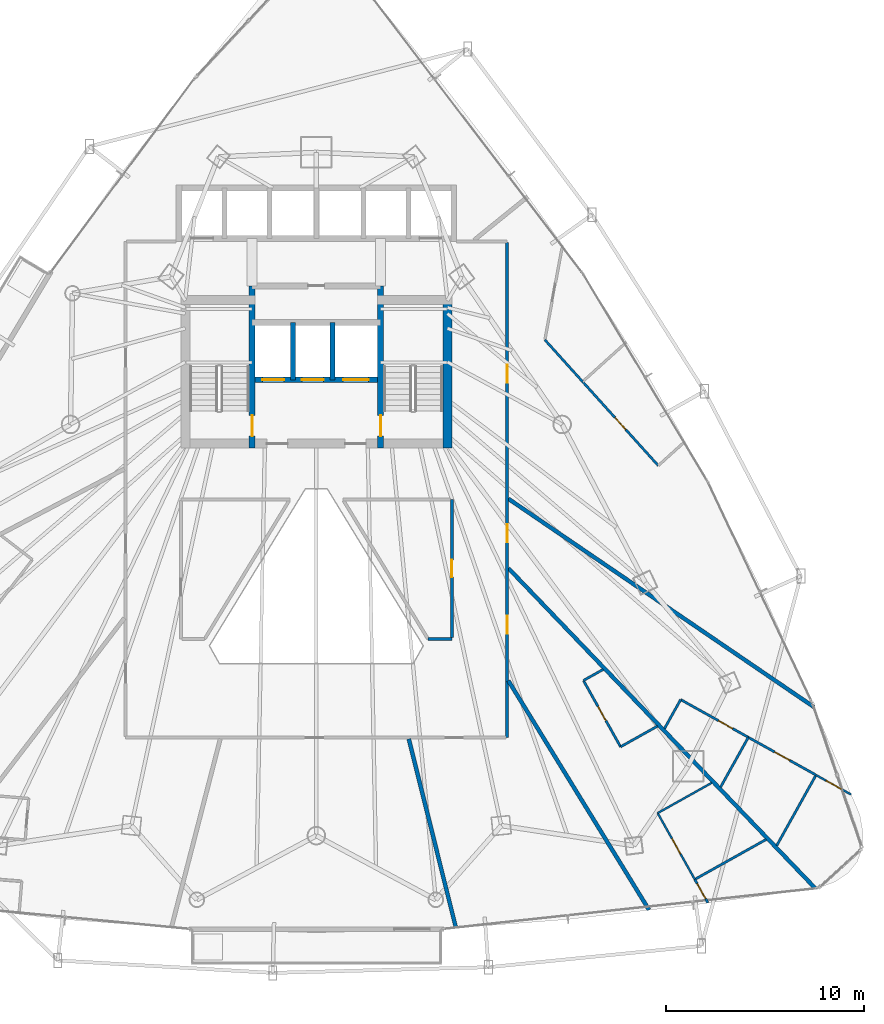
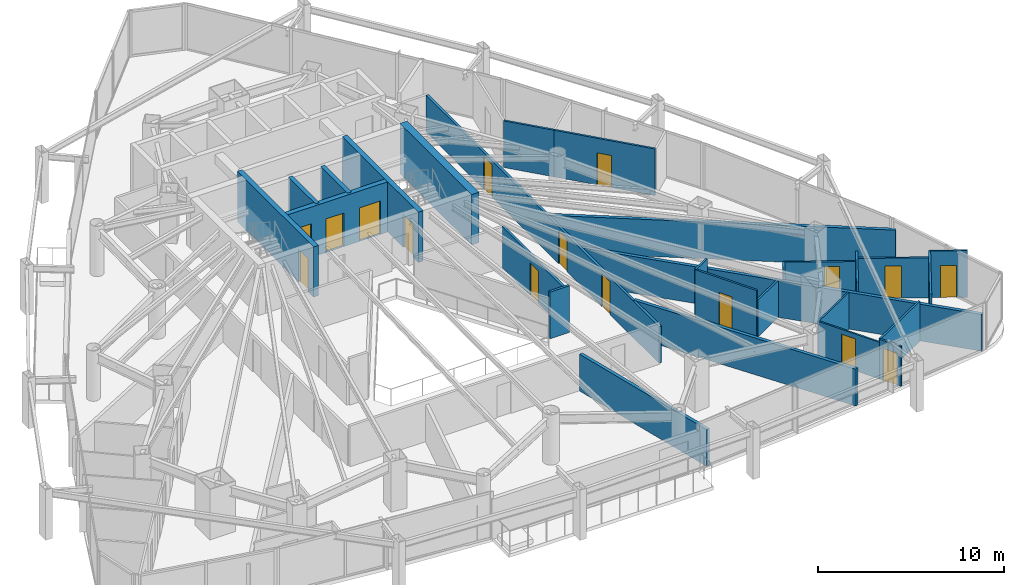
# One storey, part 30 of 34: 28 walls, 16 doors, 16 openings.
"""IFC4 building model written with IfcOpenShell, lengths in metres."""

from ifc_helpers import new_model, si_unit, direction, frame, frame_2d, origin, place, context, subcontext, project, spatial, rectangle, extrude, material, layer, layer_set, type_object, element, fill, save


model = new_model("IFC4")

# Units and contexts
model_context = context("Model", 3, precision=1e-05, world=origin(), true_north=direction((0.0, 1.0)))
body_context = subcontext(model_context, "Body", "Model", "MODEL_VIEW")
ifc_project = project(units=[si_unit("LENGTHUNIT", "METRE"), si_unit("AREAUNIT", "SQUARE_METRE"), si_unit("VOLUMEUNIT", "CUBIC_METRE"), si_unit("PLANEANGLEUNIT", "RADIAN"), si_unit("MASSUNIT", "GRAM", prefix="KILO")], contexts=[model_context])

# Site, building, storey
site_placement = place(None, origin())
site = spatial("IfcSite", under=ifc_project, at=site_placement, CompositionType="ELEMENT")
building_placement = place(site_placement, origin())
building = spatial("IfcBuilding", under=site, at=building_placement, Name="Orvanel Arch Residences", CompositionType="ELEMENT")
storey_placement = place(building_placement, frame((0.0, 0.0, 77.449951171875)))
storey = spatial("IfcBuildingStorey", under=building, at=storey_placement, Name="L21", CompositionType="ELEMENT", Elevation=77.449951171875)

# Walls
ifc_material_1 = material(Name="Concrete N50 (50 MPa)", Category="concrete")
ifc_layer_1 = layer(ifc_material_1, 0.25)
ifc_layer_set_1 = layer_set([ifc_layer_1], Name="Concrete N50 (50 MPa)")
wall_type_1 = type_object("IfcWallType", Name="SW-CORE-250", PredefinedType="SHEAR", material=ifc_layer_set_1)
for number, where, z_axis, x_axis, name in (
    (1, (31.824951171875, 29.89990234375, 0.0), (0.0, 0.0, 1.0), (0.0, 1.0, 0.0), "L21 Emergency Lift Inter-Shaft Wall F12"),
    (2, (33.824951171875, 29.89990234375, 0.0), (0.0, 0.0, 1.0), (0.0, 1.0, 0.0), "L21 Emergency Lift Inter-Shaft Wall F2G"),
):
    element("IfcWall", number, at=place(storey_placement, frame(where, z_axis=z_axis, x_axis=x_axis)), inside=storey, type_object=wall_type_1, Name=name, PredefinedType="SHEAR", context=body_context, shape_type="SweptSolid", body=[
        extrude(rectangle(XDim=2.900146484375, YDim=0.25, at=frame_2d((1.4501953125, 0.0))), origin(), (0.0, 0.0, 1.0), 3.300048828125),
    ])

# Wall, opening, door
ifc_material_2 = material(Name="Concrete S80 (80 MPa)", Category="concrete")
ifc_layer_2 = layer(ifc_material_2, 0.300048828125)
ifc_layer_set_2 = layer_set([ifc_layer_2], Name="Concrete S80 (80 MPa)")
wall_type_2 = type_object("IfcWallType", Name="SW-CORE-300", PredefinedType="SHEAR", material=ifc_layer_set_2)
wall_1_placement = place(storey_placement, frame((29.75, 26.449951171875, 0.0), z_axis=(0.0, 0.0, 1.0), x_axis=(0.0, 1.0, 0.0)))
wall_1 = element("IfcWall", 3, at=wall_1_placement, inside=storey, type_object=wall_type_2, Name="L21 West Inner Core Spine Shear Wall", PredefinedType="SHEAR", context=body_context, shape_type="SweptSolid", body=[
    extrude(rectangle(XDim=8.199951171875, YDim=0.300048828125, at=frame_2d((4.10009765625, 0.0))), origin(), (0.0, 0.0, 1.0), 3.300048828125),
])
opening_1_placement = place(wall_1_placement, frame((0.60009765625, 0.0, 0.0)))
opening_1 = element("IfcOpeningElement", 4, at=opening_1_placement, cuts=wall_1, Name="Opening DF-120", PredefinedType="OPENING", context=body_context, shape_type="SweptSolid", body=[
    extrude(rectangle(XDim=1.050048828125, YDim=2.14990234375, at=frame_2d((0.52490234375, 1.074951171875))), frame((0.0, 0.159912109375, 0.0), z_axis=(0.0, -1.0, 0.0), x_axis=(1.0, 0.0, 0.0)), (0.0, 0.0, 1.0), 0.320068359375),
])
ifc_material_3 = material(Name="Galvanised steel fire-resisting door assembly", Category="steel")
door_type_1 = type_object("IfcDoorType", Name="DR-FD120-1050", OperationType="NOTDEFINED", PredefinedType="DOOR", material=ifc_material_3)
door_1_placement = place(opening_1_placement, origin())
door_1 = element("IfcDoor", 5, at=door_1_placement, inside=storey, type_object=door_type_1, Name="DR-L21-ST1 L21 Stair 1 Fire Door", OperationType="SINGLE_SWING_LEFT", OverallHeight=2.14990234375, OverallWidth=1.050048828125, PredefinedType="DOOR", context=body_context, shape_type="SweptSolid", body=[
    extrude(rectangle(XDim=1.050048828125, YDim=2.14990234375, at=frame_2d((0.52490234375, 1.074951171875))), frame((0.0, 0.02490234375, 0.0), z_axis=(0.0, -1.0, 0.0), x_axis=(1.0, 0.0, 0.0)), (0.0, 0.0, 1.0), 0.050048828125),
])
fill(opening_1, door_1)

wall_2_placement = place(storey_placement, frame((36.25, 26.449951171875, 0.0), z_axis=(0.0, 0.0, 1.0), x_axis=(0.0, 1.0, 0.0)))
wall_2 = element("IfcWall", 6, at=wall_2_placement, inside=storey, type_object=wall_type_2, Name="L21 East Inner Core Spine Shear Wall", PredefinedType="SHEAR", context=body_context, shape_type="SweptSolid", body=[
    extrude(rectangle(XDim=8.199951171875, YDim=0.300048828125, at=frame_2d((4.10009765625, 0.0))), origin(), (0.0, 0.0, 1.0), 3.300048828125),
])
opening_2_placement = place(wall_2_placement, frame((0.60009765625, 0.0, 0.0)))
opening_2 = element("IfcOpeningElement", 7, at=opening_2_placement, cuts=wall_2, Name="Opening DF-120", PredefinedType="OPENING", context=body_context, shape_type="SweptSolid", body=[
    extrude(rectangle(XDim=1.050048828125, YDim=2.14990234375, at=frame_2d((0.52490234375, 1.074951171875))), frame((0.0, 0.159912109375, 0.0), z_axis=(0.0, -1.0, 0.0), x_axis=(1.0, 0.0, 0.0)), (0.0, 0.0, 1.0), 0.320068359375),
])
door_2_placement = place(opening_2_placement, origin())
door_2 = element("IfcDoor", 8, at=door_2_placement, inside=storey, type_object=door_type_1, Name="DR-L21-ST2 L21 Stair 2 Fire Door", OperationType="SINGLE_SWING_RIGHT", OverallHeight=2.14990234375, OverallWidth=1.050048828125, PredefinedType="DOOR", context=body_context, shape_type="SweptSolid", body=[
    extrude(rectangle(XDim=1.050048828125, YDim=2.14990234375, at=frame_2d((0.52490234375, 1.074951171875))), frame((0.0, 0.02490234375, 0.0), z_axis=(0.0, -1.0, 0.0), x_axis=(1.0, 0.0, 0.0)), (0.0, 0.0, 1.0), 0.050048828125),
])
fill(opening_2, door_2)

# Wall, openings, doors
wall_3_placement = place(storey_placement, frame((36.25, 29.89990234375, 0.0), z_axis=(0.0, 0.0, 1.0), x_axis=(-1.0, 0.0, 0.0)))
wall_3 = element("IfcWall", 9, at=wall_3_placement, inside=storey, type_object=wall_type_2, Name="L21 Emergency Lift Front Core Shear Wall", PredefinedType="SHEAR", context=body_context, shape_type="SweptSolid", body=[
    extrude(rectangle(XDim=6.5, YDim=0.300048828125, at=frame_2d((3.25, 0.0))), origin(), (0.0, 0.0, 1.0), 3.300048828125),
])
opening_3_placement = place(wall_3_placement, frame((4.875, 0.0, 0.0)))
opening_3 = element("IfcOpeningElement", 10, at=opening_3_placement, cuts=wall_3, Name="Opening LD-110", PredefinedType="OPENING", context=body_context, shape_type="SweptSolid", body=[
    extrude(rectangle(XDim=1.10009765625, YDim=2.199951171875, at=frame_2d((0.550048828125, 1.10009765625))), frame((0.0, 0.159912109375, 0.0), z_axis=(0.0, -1.0, 0.0), x_axis=(1.0, 0.0, 0.0)), (0.0, 0.0, 1.0), 0.320068359375),
])
opening_4_placement = place(wall_3_placement, frame((2.875, 0.0, 0.0)))
opening_4 = element("IfcOpeningElement", 11, at=opening_4_placement, cuts=wall_3, Name="Opening LD-110", PredefinedType="OPENING", context=body_context, shape_type="SweptSolid", body=[
    extrude(rectangle(XDim=1.10009765625, YDim=2.199951171875, at=frame_2d((0.550048828125, 1.10009765625))), frame((0.0, 0.159912109375, 0.0), z_axis=(0.0, -1.0, 0.0), x_axis=(1.0, 0.0, 0.0)), (0.0, 0.0, 1.0), 0.320068359375),
])
opening_5_placement = place(wall_3_placement, frame((0.60009765625, 0.0, 0.0)))
opening_5 = element("IfcOpeningElement", 12, at=opening_5_placement, cuts=wall_3, Name="Opening LD-130", PredefinedType="OPENING", context=body_context, shape_type="SweptSolid", body=[
    extrude(rectangle(XDim=1.300048828125, YDim=2.199951171875, at=frame_2d((0.64990234375, 1.10009765625))), frame((0.0, 0.159912109375, 0.0), z_axis=(0.0, -1.0, 0.0), x_axis=(1.0, 0.0, 0.0)), (0.0, 0.0, 1.0), 0.320068359375),
])
door_type_2 = type_object("IfcDoorType", Name="DR-LFT-1100", OperationType="NOTDEFINED", PredefinedType="DOOR", material=ifc_material_3)
door_3_placement = place(opening_3_placement, origin())
door_3 = element("IfcDoor", 13, at=door_3_placement, inside=storey, type_object=door_type_2, Name="LD-F1-L21 L21 Lift F1 Sliding Landing Door", OperationType="DOUBLE_DOOR_SLIDING", OverallHeight=2.199951171875, OverallWidth=1.10009765625, PredefinedType="DOOR", context=body_context, shape_type="SweptSolid", body=[
    extrude(rectangle(XDim=1.10009765625, YDim=2.199951171875, at=frame_2d((0.550048828125, 1.10009765625))), frame((0.0, 0.02490234375, 0.0), z_axis=(0.0, -1.0, 0.0), x_axis=(1.0, 0.0, 0.0)), (0.0, 0.0, 1.0), 0.050048828125),
])
fill(opening_3, door_3)
door_4_placement = place(opening_4_placement, origin())
door_4 = element("IfcDoor", 14, at=door_4_placement, inside=storey, type_object=door_type_2, Name="LD-F2-L21 L21 Lift F2 Sliding Landing Door", OperationType="DOUBLE_DOOR_SLIDING", OverallHeight=2.199951171875, OverallWidth=1.10009765625, PredefinedType="DOOR", context=body_context, shape_type="SweptSolid", body=[
    extrude(rectangle(XDim=1.10009765625, YDim=2.199951171875, at=frame_2d((0.550048828125, 1.10009765625))), frame((0.0, 0.02490234375, 0.0), z_axis=(0.0, -1.0, 0.0), x_axis=(1.0, 0.0, 0.0)), (0.0, 0.0, 1.0), 0.050048828125),
])
fill(opening_4, door_4)
door_type_3 = type_object("IfcDoorType", Name="DR-LFT-1300", OperationType="NOTDEFINED", PredefinedType="DOOR", material=ifc_material_3)
door_5_placement = place(opening_5_placement, origin())
door_5 = element("IfcDoor", 15, at=door_5_placement, inside=storey, type_object=door_type_3, Name="LD-G1-L21 L21 Lift G1 Sliding Landing Door", OperationType="DOUBLE_DOOR_SLIDING", OverallHeight=2.199951171875, OverallWidth=1.300048828125, PredefinedType="DOOR", context=body_context, shape_type="SweptSolid", body=[
    extrude(rectangle(XDim=1.300048828125, YDim=2.199951171875, at=frame_2d((0.64990234375, 1.10009765625))), frame((0.0, 0.02490234375, 0.0), z_axis=(0.0, -1.0, 0.0), x_axis=(1.0, 0.0, 0.0)), (0.0, 0.0, 1.0), 0.050048828125),
])
fill(opening_5, door_5)

# Wall
ifc_layer_3 = layer(ifc_material_2, 0.449951171875)
ifc_layer_set_3 = layer_set([ifc_layer_3], Name="Concrete S80 (80 MPa)")
wall_type_3 = type_object("IfcWallType", Name="SW-CORE-450", PredefinedType="SHEAR", material=ifc_layer_set_3)
wall_4_placement = place(storey_placement, frame((39.625, 26.449951171875, 0.0), z_axis=(0.0, 0.0, 1.0), x_axis=(0.0, 1.0, 0.0)))
element("IfcWall", 16, at=wall_4_placement, inside=storey, type_object=wall_type_3, Name="L21 East Stair Shear Wall", PredefinedType="SHEAR", context=body_context, shape_type="SweptSolid", body=[
    extrude(rectangle(XDim=7.699951171875, YDim=0.449951171875, at=frame_2d((3.85009765625, 0.0))), origin(), (0.0, 0.0, 1.0), 3.300048828125),
])

# Wall, openings, doors
ifc_material_4 = material(Name="Fire-rated plasterboard lined steel stud partition", Category="steel")
ifc_layer_4 = layer(ifc_material_4, 0.14990234375)
ifc_layer_set_4 = layer_set([ifc_layer_4], Name="Fire-rated plasterboard lined steel stud partition")
wall_type_4 = type_object("IfcWallType", Name="W-COR-150", PredefinedType="PARTITIONING", material=ifc_layer_set_4)
wall_5_placement = place(storey_placement, frame((42.64990234375, 36.840087890625, 0.0), z_axis=(0.0, 0.0, 1.0), x_axis=(0.0, -1.0, 0.0)))
wall_5 = element("IfcWall", 17, at=wall_5_placement, inside=storey, type_object=wall_type_4, Name="L21 Corridor Fire-Rated Partition", PredefinedType="PARTITIONING", context=body_context, shape_type="SweptSolid", body=[
    extrude(rectangle(XDim=25.0400390625, YDim=0.14990234375, at=frame_2d((12.52001953125, 0.0))), origin(), (0.0, 0.0, 1.0), 2.4130859375),
])
opening_6_placement = place(wall_5_placement, frame((6.1708984375, 0.0, 0.0)))
opening_6 = element("IfcOpeningElement", 18, at=opening_6_placement, cuts=wall_5, Name="Opening DA-092", PredefinedType="OPENING", context=body_context, shape_type="SweptSolid", body=[
    extrude(rectangle(XDim=0.919921875, YDim=2.14990234375, at=frame_2d((0.4599609375, 1.074951171875))), frame((0.0, 0.0849609375, 0.0), z_axis=(0.0, -1.0, 0.0), x_axis=(1.0, 0.0, 0.0)), (0.0, 0.0, 1.0), 0.169921875),
])
opening_7_placement = place(wall_5_placement, frame((14.2490234375, 0.0, 0.0)))
opening_7 = element("IfcOpeningElement", 19, at=opening_7_placement, cuts=wall_5, Name="Opening DA-092", PredefinedType="OPENING", context=body_context, shape_type="SweptSolid", body=[
    extrude(rectangle(XDim=0.919921875, YDim=2.14990234375, at=frame_2d((0.4599609375, 1.074951171875))), frame((0.0, 0.0849609375, 0.0), z_axis=(0.0, -1.0, 0.0), x_axis=(1.0, 0.0, 0.0)), (0.0, 0.0, 1.0), 0.169921875),
])
opening_8_placement = place(wall_5_placement, frame((18.8720703125, 0.0, 0.0)))
opening_8 = element("IfcOpeningElement", 20, at=opening_8_placement, cuts=wall_5, Name="Opening DA-092", PredefinedType="OPENING", context=body_context, shape_type="SweptSolid", body=[
    extrude(rectangle(XDim=0.919921875, YDim=2.14990234375, at=frame_2d((0.4599609375, 1.074951171875))), frame((0.0, 0.0849609375, 0.0), z_axis=(0.0, -1.0, 0.0), x_axis=(1.0, 0.0, 0.0)), (0.0, 0.0, 1.0), 0.169921875),
])
ifc_material_5 = material(Name="Solid-core European oak veneer fire door leaf", Category="wood")
door_type_4 = type_object("IfcDoorType", Name="DR-APT-920", OperationType="NOTDEFINED", PredefinedType="DOOR", material=ifc_material_5)
door_6_placement = place(opening_6_placement, origin())
door_6 = element("IfcDoor", 21, at=door_6_placement, inside=storey, type_object=door_type_4, Name="DR-L21-C-ENT L21 Studio C Entrance Door", OperationType="SINGLE_SWING_RIGHT", OverallHeight=2.14990234375, OverallWidth=0.919921875, PredefinedType="DOOR", context=body_context, shape_type="SweptSolid", body=[
    extrude(rectangle(XDim=0.919921875, YDim=2.14990234375, at=frame_2d((0.4599609375, 1.074951171875))), frame((0.0, 0.02490234375, 0.0), z_axis=(0.0, -1.0, 0.0), x_axis=(1.0, 0.0, 0.0)), (0.0, 0.0, 1.0), 0.050048828125),
])
fill(opening_6, door_6)
door_7_placement = place(opening_7_placement, origin())
door_7 = element("IfcDoor", 22, at=door_7_placement, inside=storey, type_object=door_type_4, Name="DR-L21-F-ENT L21 Flat F Entrance Door", OperationType="SINGLE_SWING_LEFT", OverallHeight=2.14990234375, OverallWidth=0.919921875, PredefinedType="DOOR", context=body_context, shape_type="SweptSolid", body=[
    extrude(rectangle(XDim=0.919921875, YDim=2.14990234375, at=frame_2d((0.4599609375, 1.074951171875))), frame((0.0, 0.02490234375, 0.0), z_axis=(0.0, -1.0, 0.0), x_axis=(1.0, 0.0, 0.0)), (0.0, 0.0, 1.0), 0.050048828125),
])
fill(opening_7, door_7)
door_8_placement = place(opening_8_placement, origin())
door_8 = element("IfcDoor", 23, at=door_8_placement, inside=storey, type_object=door_type_4, Name="DR-L21-G-ENT L21 Studio G Entrance Door", OperationType="SINGLE_SWING_RIGHT", OverallHeight=2.14990234375, OverallWidth=0.919921875, PredefinedType="DOOR", context=body_context, shape_type="SweptSolid", body=[
    extrude(rectangle(XDim=0.919921875, YDim=2.14990234375, at=frame_2d((0.4599609375, 1.074951171875))), frame((0.0, 0.02490234375, 0.0), z_axis=(0.0, -1.0, 0.0), x_axis=(1.0, 0.0, 0.0)), (0.0, 0.0, 1.0), 0.050048828125),
])
fill(opening_8, door_8)

# Wall
wall_6_placement = place(storey_placement, frame((38.64990234375, 16.800048828125, 0.0), z_axis=(0.0, 0.0, 1.0), x_axis=(1.0, 0.0, 0.0)))
element("IfcWall", 24, at=wall_6_placement, inside=storey, type_object=wall_type_4, Name="L21 Corridor Fire-Rated Partition", PredefinedType="PARTITIONING", context=body_context, shape_type="SweptSolid", body=[
    extrude(rectangle(XDim=1.2001953125, YDim=0.14990234375, at=frame_2d((0.60009765625, 0.0))), origin(), (0.0, 0.0, 1.0), 3.06005859375),
])

# Wall, opening, door
wall_7_placement = place(storey_placement, frame((39.85009765625, 16.860107421875, 0.0), z_axis=(0.0, 0.0, 1.0), x_axis=(0.0, 1.0, 0.0)))
wall_7 = element("IfcWall", 25, at=wall_7_placement, inside=storey, type_object=wall_type_4, Name="L21 Corridor Fire-Rated Partition", PredefinedType="PARTITIONING", context=body_context, shape_type="SweptSolid", body=[
    extrude(rectangle(XDim=6.989990234375, YDim=0.14990234375, at=frame_2d((3.4951171875, 0.0))), origin(), (0.0, 0.0, 1.0), 2.6689453125),
])
opening_9_placement = place(wall_7_placement, frame((3.054931640625, 0.0, 0.0)))
opening_9 = element("IfcOpeningElement", 26, at=opening_9_placement, cuts=wall_7, Name="Opening DI-088", PredefinedType="OPENING", context=body_context, shape_type="SweptSolid", body=[
    extrude(rectangle(XDim=0.8798828125, YDim=2.10009765625, at=frame_2d((0.43994140625, 1.050048828125))), frame((0.0, 0.0849609375, 0.0), z_axis=(0.0, -1.0, 0.0), x_axis=(1.0, 0.0, 0.0)), (0.0, 0.0, 1.0), 0.169921875),
])
door_type_5 = type_object("IfcDoorType", Name="DR-INT-880", OperationType="NOTDEFINED", PredefinedType="DOOR", material=ifc_material_5)
door_9_placement = place(opening_9_placement, origin())
door_9 = element("IfcDoor", 27, at=door_9_placement, inside=storey, type_object=door_type_5, Name="DR-L21-SHRD-FB9 L21 Co-Working Study Office I Door", OperationType="SINGLE_SWING_LEFT", OverallHeight=2.10009765625, OverallWidth=0.8798828125, PredefinedType="DOOR", context=body_context, shape_type="SweptSolid", body=[
    extrude(rectangle(XDim=0.8798828125, YDim=2.10009765625, at=frame_2d((0.43994140625, 1.050048828125))), frame((0.0, 0.02490234375, 0.0), z_axis=(0.0, -1.0, 0.0), x_axis=(1.0, 0.0, 0.0)), (0.0, 0.0, 1.0), 0.050048828125),
])
fill(opening_9, door_9)

# Walls
ifc_layer_5 = layer(ifc_material_4, 0.199951171875)
ifc_layer_set_5 = layer_set([ifc_layer_5], Name="Fire-rated plasterboard lined steel stud partition")
wall_type_5 = type_object("IfcWallType", Name="W-DEM-200", PredefinedType="PARTITIONING", material=ifc_layer_set_5)
wall_8_placement = place(storey_placement, frame((58.1650390625, 13.35009765625, 0.0), z_axis=(0.0, 0.0, 1.0), x_axis=(-0.826341659386, 0.563169123766, 0.0)))
element("IfcWall", 28, at=wall_8_placement, inside=storey, type_object=wall_type_5, Name="L21 Inter-Tenancy Acoustic Demising Wall", PredefinedType="PARTITIONING", context=body_context, shape_type="SweptSolid", body=[
    extrude(rectangle(XDim=18.703125, YDim=0.199951171875, at=frame_2d((9.3515625, 0.0))), origin(), (0.0, 0.0, 1.0), 2.4130859375),
])
wall_9_placement = place(storey_placement, frame((37.677001953125, 11.739990234375, 0.0), z_axis=(0.0, 0.0, 1.0), x_axis=(0.241946282122, -0.970289645707, 0.0)))
element("IfcWall", 29, at=wall_9_placement, inside=storey, type_object=wall_type_5, Name="L21 Inter-Tenancy Acoustic Demising Wall", PredefinedType="PARTITIONING", context=body_context, shape_type="SweptSolid", body=[
    extrude(rectangle(XDim=9.845458984375, YDim=0.199951171875, at=frame_2d((4.9228515625, 0.0))), origin(), (0.0, 0.0, 1.0), 2.4130859375),
])
wall_10_placement = place(storey_placement, frame((58.237060546875, 4.178955078125, 0.0), z_axis=(0.0, 0.0, 1.0), x_axis=(-0.69208567792, 0.721815360337, 0.0)))
element("IfcWall", 30, at=wall_10_placement, inside=storey, type_object=wall_type_5, Name="L21 Inter-Tenancy Acoustic Demising Wall", PredefinedType="PARTITIONING", context=body_context, shape_type="SweptSolid", body=[
    extrude(rectangle(XDim=22.435302734375, YDim=0.199951171875, at=frame_2d((11.2177734375, 0.0))), origin(), (0.0, 0.0, 1.0), 2.4130859375),
])
wall_11_placement = place(storey_placement, frame((49.826904296875, 3.090087890625, 0.0), z_axis=(0.0, 0.0, 1.0), x_axis=(-0.523146880199, 0.852242536921, 0.0)))
element("IfcWall", 31, at=wall_11_placement, inside=storey, type_object=wall_type_5, Name="L21 Inter-Tenancy Acoustic Demising Wall", PredefinedType="PARTITIONING", context=body_context, shape_type="SweptSolid", body=[
    extrude(rectangle(XDim=13.60400390625, YDim=0.199951171875, at=frame_2d((6.802001953125, 0.0))), origin(), (0.0, 0.0, 1.0), 2.4130859375),
])

# Wall, opening, door
ifc_material_6 = material(Name="Acoustic plasterboard lined twin-stud partition", Category="gypsum")
ifc_layer_6 = layer(ifc_material_6, 0.10009765625)
ifc_layer_set_6 = layer_set([ifc_layer_6], Name="Acoustic plasterboard lined twin-stud partition")
wall_type_6 = type_object("IfcWallType", Name="W-INT-100", PredefinedType="PARTITIONING", material=ifc_layer_set_6)
wall_12_placement = place(storey_placement, frame((60.0439453125, 8.923095703125, 0.0), z_axis=(0.0, 0.0, 1.0), x_axis=(-0.873680423781, 0.486500274514, 0.0)))
wall_12 = element("IfcWall", 32, at=wall_12_placement, inside=storey, type_object=wall_type_6, Name="L21 Flat F Internal Partition", PredefinedType="PARTITIONING", context=body_context, shape_type="SweptSolid", body=[
    extrude(rectangle(XDim=2.030517578125, YDim=0.10009765625, at=frame_2d((1.01513671875, 0.0))), origin(), (0.0, 0.0, 1.0), 3.06005859375),
])
opening_10_placement = place(wall_12_placement, frame((0.574951171875, 0.0, 0.0)))
opening_10 = element("IfcOpeningElement", 33, at=opening_10_placement, cuts=wall_12, Name="Opening DI-088", PredefinedType="OPENING", context=body_context, shape_type="SweptSolid", body=[
    extrude(rectangle(XDim=0.8798828125, YDim=2.10009765625, at=frame_2d((0.43994140625, 1.050048828125))), frame((0.0, 0.06005859375, 0.0), z_axis=(0.0, -1.0, 0.0), x_axis=(1.0, 0.0, 0.0)), (0.0, 0.0, 1.0), 0.1201171875),
])
door_10_placement = place(opening_10_placement, origin())
door_10 = element("IfcDoor", 34, at=door_10_placement, inside=storey, type_object=door_type_5, Name="DR-L21-F-BED1 L21 Flat F Bedroom 1 Door", OperationType="SINGLE_SWING_LEFT", OverallHeight=2.10009765625, OverallWidth=0.8798828125, PredefinedType="DOOR", context=body_context, shape_type="SweptSolid", body=[
    extrude(rectangle(XDim=0.8798828125, YDim=2.10009765625, at=frame_2d((0.43994140625, 1.050048828125))), frame((0.0, 0.02490234375, 0.0), z_axis=(0.0, -1.0, 0.0), x_axis=(1.0, 0.0, 0.0)), (0.0, 0.0, 1.0), 0.050048828125),
])
fill(opening_10, door_10)

# Wall
wall_13_placement = place(storey_placement, frame((52.9990234375, 9.51904296875, 0.0), z_axis=(0.0, 0.0, 1.0), x_axis=(-0.87247814598, -0.488653133406, 0.0)))
element("IfcWall", 35, at=wall_13_placement, inside=storey, type_object=wall_type_6, Name="L21 Studio G Internal Partition", PredefinedType="PARTITIONING", context=body_context, shape_type="SweptSolid", body=[
    extrude(rectangle(XDim=3.13720703125, YDim=0.10009765625, at=frame_2d((1.568603515625, 0.0))), origin(), (0.0, 0.0, 1.0), 2.4130859375),
])

# Wall, opening, door
wall_14_placement = place(storey_placement, frame((50.261962890625, 7.986083984375, 0.0), z_axis=(0.0, 0.0, 1.0), x_axis=(0.488564666262, -0.872527688317, 0.0)))
wall_14 = element("IfcWall", 36, at=wall_14_placement, inside=storey, type_object=wall_type_6, Name="L21 Studio G Internal Partition", PredefinedType="PARTITIONING", context=body_context, shape_type="SweptSolid", body=[
    extrude(rectangle(XDim=3.841796875, YDim=0.10009765625, at=frame_2d((1.9208984375, 0.0))), origin(), (0.0, 0.0, 1.0), 2.4130859375),
])
opening_11_placement = place(wall_14_placement, frame((1.48095703125, 0.0, 0.0)))
opening_11 = element("IfcOpeningElement", 37, at=opening_11_placement, cuts=wall_14, Name="Opening DI-088", PredefinedType="OPENING", context=body_context, shape_type="SweptSolid", body=[
    extrude(rectangle(XDim=0.8798828125, YDim=2.10009765625, at=frame_2d((0.43994140625, 1.050048828125))), frame((0.0, 0.06005859375, 0.0), z_axis=(0.0, -1.0, 0.0), x_axis=(1.0, 0.0, 0.0)), (0.0, 0.0, 1.0), 0.1201171875),
])
door_11_placement = place(opening_11_placement, origin())
door_11 = element("IfcDoor", 38, at=door_11_placement, inside=storey, type_object=door_type_5, Name="DR-L21-G-DIN1 L21 Studio G Dining Room 1 Door", OperationType="SINGLE_SWING_LEFT", OverallHeight=2.10009765625, OverallWidth=0.8798828125, PredefinedType="DOOR", context=body_context, shape_type="SweptSolid", body=[
    extrude(rectangle(XDim=0.8798828125, YDim=2.10009765625, at=frame_2d((0.43994140625, 1.050048828125))), frame((0.0, 0.02490234375, 0.0), z_axis=(0.0, -1.0, 0.0), x_axis=(1.0, 0.0, 0.0)), (0.0, 0.0, 1.0), 0.050048828125),
])
fill(opening_11, door_11)

ifc_layer_7 = layer(ifc_material_6, 0.1201171875)
ifc_layer_set_7 = layer_set([ifc_layer_7], Name="Acoustic plasterboard lined twin-stud partition")
wall_type_7 = type_object("IfcWallType", Name="W-WET-120", PredefinedType="PARTITIONING", material=ifc_layer_set_7)
wall_15_placement = place(storey_placement, frame((46.466064453125, 29.802978515625, 0.0), z_axis=(0.0, 0.0, 1.0), x_axis=(0.669491047861, -0.742820124144, 0.0)))
wall_15 = element("IfcWall", 39, at=wall_15_placement, inside=storey, type_object=wall_type_7, Name="L21 Studio C Bathroom Partition", PredefinedType="PARTITIONING", context=body_context, shape_type="SweptSolid", body=[
    extrude(rectangle(XDim=5.713134765625, YDim=0.1201171875, at=frame_2d((2.8564453125, 0.0))), origin(), (0.0, 0.0, 1.0), 3.06005859375),
])
opening_12_placement = place(wall_15_placement, frame((2.447021484375, 0.0, 0.0)))
opening_12 = element("IfcOpeningElement", 40, at=opening_12_placement, cuts=wall_15, Name="Opening DW-082", PredefinedType="OPENING", context=body_context, shape_type="SweptSolid", body=[
    extrude(rectangle(XDim=0.820068359375, YDim=2.10009765625, at=frame_2d((0.41015625, 1.050048828125))), frame((0.0, 0.070068359375, 0.0), z_axis=(0.0, -1.0, 0.0), x_axis=(1.0, 0.0, 0.0)), (0.0, 0.0, 1.0), 0.14013671875),
])
door_type_6 = type_object("IfcDoorType", Name="DR-WET-820", OperationType="NOTDEFINED", PredefinedType="DOOR", material=ifc_material_5)
door_12_placement = place(opening_12_placement, origin())
door_12 = element("IfcDoor", 41, at=door_12_placement, inside=storey, type_object=door_type_6, Name="DR-L21-C-BATH L21 Studio C Bathroom Door", OperationType="SINGLE_SWING_RIGHT", OverallHeight=2.10009765625, OverallWidth=0.820068359375, PredefinedType="DOOR", context=body_context, shape_type="SweptSolid", body=[
    extrude(rectangle(XDim=0.820068359375, YDim=2.10009765625, at=frame_2d((0.41015625, 1.050048828125))), frame((0.0, 0.02490234375, 0.0), z_axis=(0.0, -1.0, 0.0), x_axis=(1.0, 0.0, 0.0)), (0.0, 0.0, 1.0), 0.050048828125),
])
fill(opening_12, door_12)

# Wall
wall_16_placement = place(storey_placement, frame((44.55810546875, 31.9189453125, 0.0), z_axis=(0.0, 0.0, 1.0), x_axis=(0.669660366513, -0.742667485165, 0.0)))
element("IfcWall", 42, at=wall_16_placement, inside=storey, type_object=wall_type_7, Name="L21 Studio C Internal Partition", PredefinedType="PARTITIONING", context=body_context, shape_type="SweptSolid", body=[
    extrude(rectangle(XDim=2.84912109375, YDim=0.1201171875, at=frame_2d((1.424560546875, 0.0))), origin(), (0.0, 0.0, 1.0), 3.06005859375),
])

# Wall, opening, door
wall_17_placement = place(storey_placement, frame((54.846923828125, 11.818115234375, 0.0), z_axis=(0.0, 0.0, 1.0), x_axis=(-0.87346578699, 0.486885529624, 0.0)))
wall_17 = element("IfcWall", 43, at=wall_17_placement, inside=storey, type_object=wall_type_7, Name="L21 Flat F Bathroom Partition", PredefinedType="PARTITIONING", context=body_context, shape_type="SweptSolid", body=[
    extrude(rectangle(XDim=3.918701171875, YDim=0.1201171875, at=frame_2d((1.95947265625, 0.0))), origin(), (0.0, 0.0, 1.0), 2.4130859375),
])
opening_13_placement = place(wall_17_placement, frame((0.909912109375, 0.0, 0.0)))
opening_13 = element("IfcOpeningElement", 44, at=opening_13_placement, cuts=wall_17, Name="Opening DW-082", PredefinedType="OPENING", context=body_context, shape_type="SweptSolid", body=[
    extrude(rectangle(XDim=0.820068359375, YDim=2.10009765625, at=frame_2d((0.41015625, 1.050048828125))), frame((0.0, 0.070068359375, 0.0), z_axis=(0.0, -1.0, 0.0), x_axis=(1.0, 0.0, 0.0)), (0.0, 0.0, 1.0), 0.14013671875),
])
door_13_placement = place(opening_13_placement, origin())
door_13 = element("IfcDoor", 45, at=door_13_placement, inside=storey, type_object=door_type_6, Name="DR-L21-F-BATH L21 Flat F Bathroom Door", OperationType="SINGLE_SWING_RIGHT", OverallHeight=2.10009765625, OverallWidth=0.820068359375, PredefinedType="DOOR", context=body_context, shape_type="SweptSolid", body=[
    extrude(rectangle(XDim=0.820068359375, YDim=2.10009765625, at=frame_2d((0.41015625, 1.050048828125))), frame((0.0, 0.02490234375, 0.0), z_axis=(0.0, -1.0, 0.0), x_axis=(1.0, 0.0, 0.0)), (0.0, 0.0, 1.0), 0.050048828125),
])
fill(opening_13, door_13)

# Wall
wall_18_placement = place(storey_placement, frame((51.424072265625, 13.72607421875, 0.0), z_axis=(0.0, 0.0, 1.0), x_axis=(-0.486605473044, -0.873621836726, 0.0)))
element("IfcWall", 46, at=wall_18_placement, inside=storey, type_object=wall_type_7, Name="L21 Flat F Bathroom Partition", PredefinedType="PARTITIONING", context=body_context, shape_type="SweptSolid", body=[
    extrude(rectangle(XDim=1.67919921875, YDim=0.1201171875, at=frame_2d((0.839599609375, 0.0))), origin(), (0.0, 0.0, 1.0), 2.4130859375),
])

# Wall, opening, door
wall_19_placement = place(storey_placement, frame((58.27001953125, 9.910888671875, 0.0), z_axis=(0.0, 0.0, 1.0), x_axis=(-0.873560029318, 0.486716421727, 0.0)))
wall_19 = element("IfcWall", 47, at=wall_19_placement, inside=storey, type_object=wall_type_7, Name="L21 Flat F Internal Partition", PredefinedType="PARTITIONING", context=body_context, shape_type="SweptSolid", body=[
    extrude(rectangle(XDim=3.91845703125, YDim=0.1201171875, at=frame_2d((1.959228515625, 0.0))), origin(), (0.0, 0.0, 1.0), 2.619140625),
])
opening_14_placement = place(wall_19_placement, frame((1.51904296875, 0.0, 0.0)))
opening_14 = element("IfcOpeningElement", 48, at=opening_14_placement, cuts=wall_19, Name="Opening DI-088", PredefinedType="OPENING", context=body_context, shape_type="SweptSolid", body=[
    extrude(rectangle(XDim=0.8798828125, YDim=2.10009765625, at=frame_2d((0.43994140625, 1.050048828125))), frame((0.0, 0.070068359375, 0.0), z_axis=(0.0, -1.0, 0.0), x_axis=(1.0, 0.0, 0.0)), (0.0, 0.0, 1.0), 0.14013671875),
])
door_14_placement = place(opening_14_placement, origin())
door_14 = element("IfcDoor", 49, at=door_14_placement, inside=storey, type_object=door_type_5, Name="DR-L21-F-KIT L21 Flat F Kitchen Door", OperationType="SINGLE_SWING_LEFT", OverallHeight=2.10009765625, OverallWidth=0.8798828125, PredefinedType="DOOR", context=body_context, shape_type="SweptSolid", body=[
    extrude(rectangle(XDim=0.8798828125, YDim=2.10009765625, at=frame_2d((0.43994140625, 1.050048828125))), frame((0.0, 0.02490234375, 0.0), z_axis=(0.0, -1.0, 0.0), x_axis=(1.0, 0.0, 0.0)), (0.0, 0.0, 1.0), 0.050048828125),
])
fill(opening_14, door_14)

# Walls
wall_20_placement = place(storey_placement, frame((54.846923828125, 11.818115234375, 0.0), z_axis=(0.0, 0.0, 1.0), x_axis=(-0.486822226103, -0.873501070504, 0.0)))
element("IfcWall", 50, at=wall_20_placement, inside=storey, type_object=wall_type_7, Name="L21 Flat F Bathroom Partition", PredefinedType="PARTITIONING", context=body_context, shape_type="SweptSolid", body=[
    extrude(rectangle(XDim=2.881591796875, YDim=0.1201171875, at=frame_2d((1.44091796875, 0.0))), origin(), (0.0, 0.0, 1.0), 3.06005859375),
])
wall_21_placement = place(storey_placement, frame((58.27001953125, 9.910888671875, 0.0), z_axis=(0.0, 0.0, 1.0), x_axis=(-0.486824622959, -0.873499734677, 0.0)))
element("IfcWall", 51, at=wall_21_placement, inside=storey, type_object=wall_type_7, Name="L21 Flat F Internal Partition", PredefinedType="PARTITIONING", context=body_context, shape_type="SweptSolid", body=[
    extrude(rectangle(XDim=4.085693359375, YDim=0.1201171875, at=frame_2d((2.04296875, 0.0))), origin(), (0.0, 0.0, 1.0), 3.06005859375),
])
wall_22_placement = place(storey_placement, frame((47.5048828125, 15.2490234375, 0.0), z_axis=(0.0, 0.0, 1.0), x_axis=(-0.872914025969, -0.487874064967, 0.0)))
element("IfcWall", 52, at=wall_22_placement, inside=storey, type_object=wall_type_7, Name="L21 Studio G Bathroom Partition", PredefinedType="PARTITIONING", context=body_context, shape_type="SweptSolid", body=[
    extrude(rectangle(XDim=1.141845703125, YDim=0.1201171875, at=frame_2d((0.57080078125, 0.0))), origin(), (0.0, 0.0, 1.0), 3.06005859375),
])

# Wall, opening, door
wall_23_placement = place(storey_placement, frame((46.508056640625, 14.69189453125, 0.0), z_axis=(0.0, 0.0, 1.0), x_axis=(0.488483407483, -0.872573183529, 0.0)))
wall_23 = element("IfcWall", 53, at=wall_23_placement, inside=storey, type_object=wall_type_7, Name="L21 Studio G Bathroom Partition", PredefinedType="PARTITIONING", context=body_context, shape_type="SweptSolid", body=[
    extrude(rectangle(XDim=3.842529296875, YDim=0.1201171875, at=frame_2d((1.92138671875, 0.0))), origin(), (0.0, 0.0, 1.0), 3.06005859375),
])
opening_15_placement = place(wall_23_placement, frame((1.510986328125, 0.0, 0.0)))
opening_15 = element("IfcOpeningElement", 54, at=opening_15_placement, cuts=wall_23, Name="Opening DW-082", PredefinedType="OPENING", context=body_context, shape_type="SweptSolid", body=[
    extrude(rectangle(XDim=0.820068359375, YDim=2.10009765625, at=frame_2d((0.41015625, 1.050048828125))), frame((0.0, 0.070068359375, 0.0), z_axis=(0.0, -1.0, 0.0), x_axis=(1.0, 0.0, 0.0)), (0.0, 0.0, 1.0), 0.14013671875),
])
door_15_placement = place(opening_15_placement, origin())
door_15 = element("IfcDoor", 55, at=door_15_placement, inside=storey, type_object=door_type_6, Name="DR-L21-G-BATH L21 Studio G Bathroom Door", OperationType="SINGLE_SWING_RIGHT", OverallHeight=2.10009765625, OverallWidth=0.820068359375, PredefinedType="DOOR", context=body_context, shape_type="SweptSolid", body=[
    extrude(rectangle(XDim=0.820068359375, YDim=2.10009765625, at=frame_2d((0.41015625, 1.050048828125))), frame((0.0, 0.02490234375, 0.0), z_axis=(0.0, -1.0, 0.0), x_axis=(1.0, 0.0, 0.0)), (0.0, 0.0, 1.0), 0.050048828125),
])
fill(opening_15, door_15)

# Wall
wall_24_placement = place(storey_placement, frame((48.385009765625, 11.339111328125, 0.0), z_axis=(0.0, 0.0, 1.0), x_axis=(0.872618854318, 0.488401817246, 0.0)))
element("IfcWall", 56, at=wall_24_placement, inside=storey, type_object=wall_type_7, Name="L21 Studio G Bathroom Partition", PredefinedType="PARTITIONING", context=body_context, shape_type="SweptSolid", body=[
    extrude(rectangle(XDim=2.139404296875, YDim=0.1201171875, at=frame_2d((1.06982421875, 0.0))), origin(), (0.0, 0.0, 1.0), 2.4130859375),
])

# Wall, opening, door
wall_25_placement = place(storey_placement, frame((52.138916015625, 4.634033203125, 0.0), z_axis=(0.0, 0.0, 1.0), x_axis=(0.488778203453, -0.872408085605, 0.0)))
wall_25 = element("IfcWall", 57, at=wall_25_placement, inside=storey, type_object=wall_type_7, Name="L21 Studio G Internal Partition", PredefinedType="PARTITIONING", context=body_context, shape_type="SweptSolid", body=[
    extrude(rectangle(XDim=1.360595703125, YDim=0.1201171875, at=frame_2d((0.68017578125, 0.0))), origin(), (0.0, 0.0, 1.0), 2.619140625),
])
opening_16_placement = place(wall_25_placement, frame((0.239990234375, 0.0, 0.0)))
opening_16 = element("IfcOpeningElement", 58, at=opening_16_placement, cuts=wall_25, Name="Opening DI-088", PredefinedType="OPENING", context=body_context, shape_type="SweptSolid", body=[
    extrude(rectangle(XDim=0.8798828125, YDim=2.10009765625, at=frame_2d((0.43994140625, 1.050048828125))), frame((0.0, 0.070068359375, 0.0), z_axis=(0.0, -1.0, 0.0), x_axis=(1.0, 0.0, 0.0)), (0.0, 0.0, 1.0), 0.14013671875),
])
door_16_placement = place(opening_16_placement, origin())
door_16 = element("IfcDoor", 59, at=door_16_placement, inside=storey, type_object=door_type_5, Name="DR-L21-G-KIT L21 Studio G Kitchenette Door", OperationType="SINGLE_SWING_LEFT", OverallHeight=2.10009765625, OverallWidth=0.8798828125, PredefinedType="DOOR", context=body_context, shape_type="SweptSolid", body=[
    extrude(rectangle(XDim=0.8798828125, YDim=2.10009765625, at=frame_2d((0.43994140625, 1.050048828125))), frame((0.0, 0.02490234375, 0.0), z_axis=(0.0, -1.0, 0.0), x_axis=(1.0, 0.0, 0.0)), (0.0, 0.0, 1.0), 0.050048828125),
])
fill(opening_16, door_16)

# Wall
wall_26_placement = place(storey_placement, frame((52.138916015625, 4.634033203125, 0.0), z_axis=(0.0, 0.0, 1.0), x_axis=(0.87266304729, 0.488322850064, 0.0)))
element("IfcWall", 60, at=wall_26_placement, inside=storey, type_object=wall_type_7, Name="L21 Studio G Internal Partition", PredefinedType="PARTITIONING", context=body_context, shape_type="SweptSolid", body=[
    extrude(rectangle(XDim=4.134765625, YDim=0.1201171875, at=frame_2d((2.0673828125, 0.0))), origin(), (0.0, 0.0, 1.0), 2.619140625),
])

save(model, "model.ifc")
